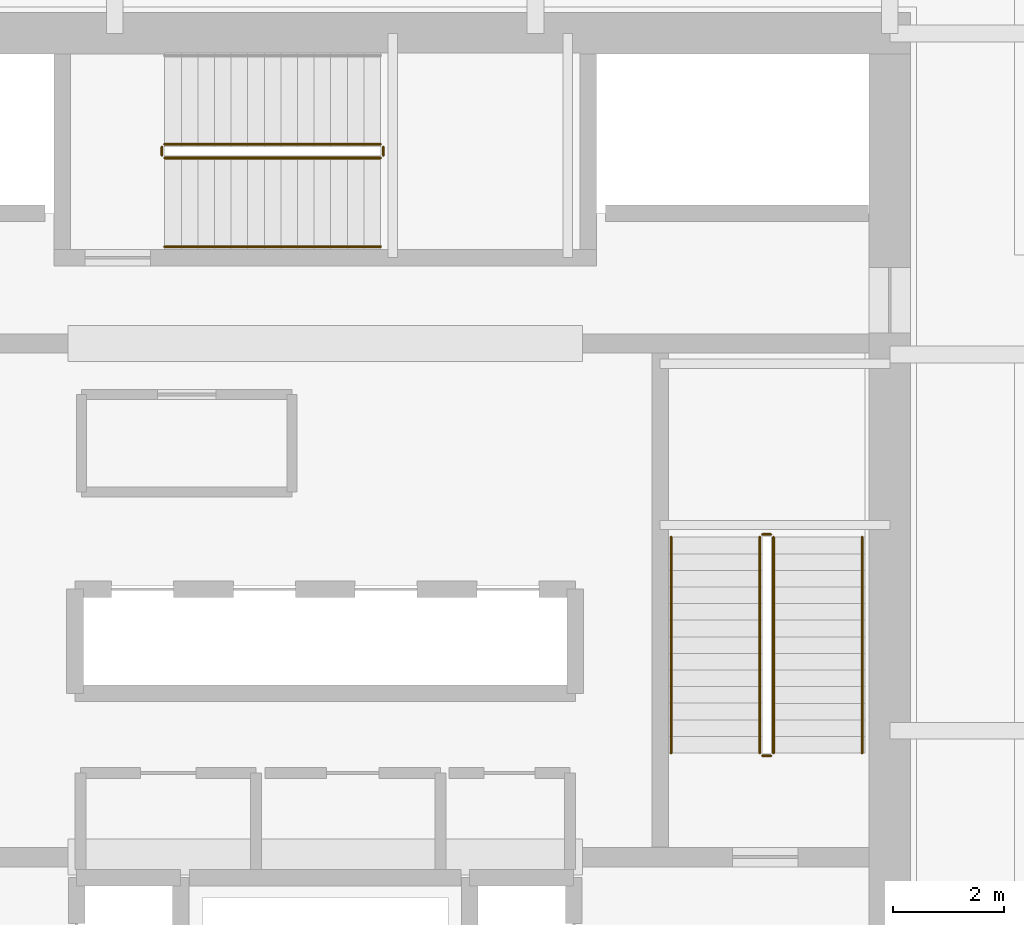
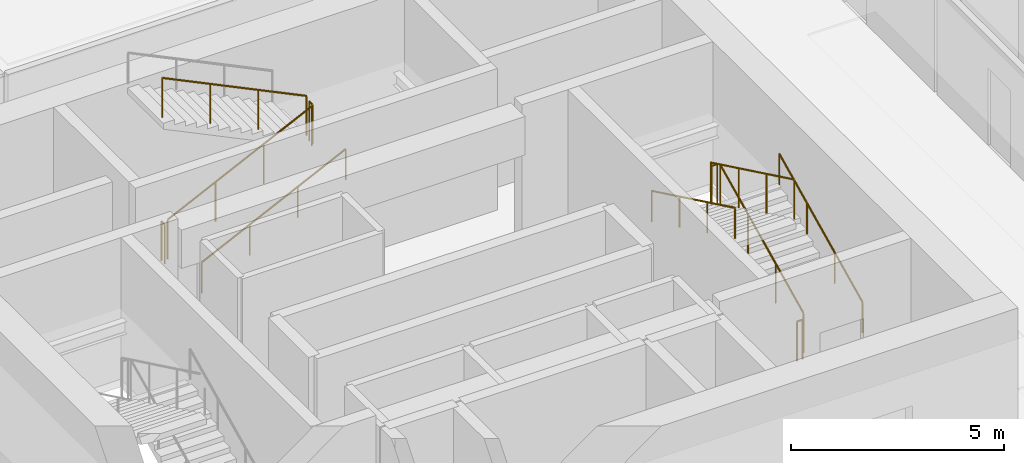
# One storey, part 33 of 34: 11 railings.
"""IFC4 building model written with IfcOpenShell, lengths in metres."""

from ifc_helpers import new_model, si_unit, direction, frame, origin, origin_2d, place, context, subcontext, project, spatial, circle, extrude, material, type_object, element, save


model = new_model("IFC4")

# Units and contexts
model_context = context("Model", 3, precision=1e-05, world=origin(), true_north=direction((0.0, 1.0)))
body_context = subcontext(model_context, "Body", "Model", "MODEL_VIEW")
ifc_project = project(units=[si_unit("LENGTHUNIT", "METRE"), si_unit("AREAUNIT", "SQUARE_METRE"), si_unit("VOLUMEUNIT", "CUBIC_METRE"), si_unit("PLANEANGLEUNIT", "RADIAN"), si_unit("MASSUNIT", "GRAM", prefix="KILO")], contexts=[model_context])

# Site, building, storey
site_placement = place(None, origin())
site = spatial("IfcSite", under=ifc_project, at=site_placement, CompositionType="ELEMENT")
building_placement = place(site_placement, origin())
building = spatial("IfcBuilding", under=site, at=building_placement, Name="Punatoya Terracotta Tower", CompositionType="ELEMENT")
storey_placement = place(building_placement, frame((0.0, 0.0, 84.89990234375)))
storey = spatial("IfcBuildingStorey", under=building, at=storey_placement, Name="L19", CompositionType="ELEMENT", Elevation=84.89990234375)

# Railings
ifc_material = material(Name="Steel S355", Category="steel")
railing_type_1 = type_object("IfcRailingType", Name="RLG-GRD-1150", PredefinedType="GUARDRAIL", material=ifc_material)
railing_1_placement = place(storey_placement, frame((8.10009765625, -3.800048828125, 0.144775390625)))
element("IfcRailing", 1, at=railing_1_placement, inside=storey, type_object=railing_type_1, Name="L19 ST-2 stair guard 1", PredefinedType="GUARDRAIL", context=body_context, shape_type="SweptSolid", body=[
    extrude(circle(Radius=0.02392578125, at=origin_2d()), frame((0.0, 0.0, 1.1259765625), z_axis=(0.0, 0.900773802044, 0.434288564841), x_axis=(-1.0, 0.0, 0.0)), (0.0, 0.0, 1.0), 4.329833984375),
    extrude(circle(Radius=0.02099609375, at=origin_2d()), origin(), (0.0, 0.0, 1.0), 1.101806640625),
    extrude(circle(Radius=0.02099609375, at=origin_2d()), frame((0.0, 1.300048828125, 0.626708984375)), (0.0, 0.0, 1.0), 1.101806640625),
    extrude(circle(Radius=0.02099609375, at=origin_2d()), frame((0.0, 2.60009765625, 1.253662109375)), (0.0, 0.0, 1.0), 1.101806640625),
    extrude(circle(Radius=0.02099609375, at=origin_2d()), frame((0.0, 3.900146484375, 1.88037109375)), (0.0, 0.0, 1.0), 1.101806640625),
])
railing_2_placement = place(storey_placement, frame((8.050048828125, 0.14990234375, 2.025146484375)))
element("IfcRailing", 2, at=railing_2_placement, inside=storey, type_object=railing_type_1, Name="L19 ST-2 stair guard 2", PredefinedType="GUARDRAIL", context=body_context, shape_type="SweptSolid", body=[
    extrude(circle(Radius=0.02392578125, at=origin_2d()), frame((0.0, 0.0, 1.1259765625), z_axis=(-1.0, 0.0, 0.0), x_axis=(0.0, -1.0, 0.0)), (0.0, 0.0, 1.0), 0.150146484375),
    extrude(circle(Radius=0.02099609375, at=origin_2d()), origin(), (0.0, 0.0, 1.0), 1.101806640625),
    extrude(circle(Radius=0.02099609375, at=origin_2d()), frame((-0.150146484375, 0.0, 0.0)), (0.0, 0.0, 1.0), 1.101806640625),
])
railing_3_placement = place(storey_placement, frame((7.85009765625, 0.10009765625, 2.169677734375)))
element("IfcRailing", 3, at=railing_3_placement, inside=storey, type_object=railing_type_1, Name="L19 ST-2 stair guard 3", PredefinedType="GUARDRAIL", context=body_context, shape_type="SweptSolid", body=[
    extrude(circle(Radius=0.02392578125, at=origin_2d()), frame((0.0, 0.0, 1.1259765625), z_axis=(0.0, -0.900773802044, 0.434288564841), x_axis=(1.0, 0.0, 0.0)), (0.0, 0.0, 1.0), 4.329833984375),
    extrude(circle(Radius=0.02099609375, at=origin_2d()), origin(), (0.0, 0.0, 1.0), 1.101806640625),
    extrude(circle(Radius=0.02099609375, at=origin_2d()), frame((0.0, -1.300048828125, 0.626708984375)), (0.0, 0.0, 1.0), 1.101806640625),
    extrude(circle(Radius=0.02099609375, at=origin_2d()), frame((0.0, -2.60009765625, 1.253662109375)), (0.0, 0.0, 1.0), 1.101806640625),
    extrude(circle(Radius=0.02099609375, at=origin_2d()), frame((0.0, -3.900146484375, 1.88037109375)), (0.0, 0.0, 1.0), 1.101806640625),
])
railing_4_placement = place(storey_placement, frame((8.050048828125, -3.85009765625, 0.0)))
element("IfcRailing", 4, at=railing_4_placement, inside=storey, type_object=railing_type_1, Name="L19 ST-2 stair guard 4", PredefinedType="GUARDRAIL", context=body_context, shape_type="SweptSolid", body=[
    extrude(circle(Radius=0.02392578125, at=origin_2d()), frame((0.0, 0.0, 1.1259765625), z_axis=(-1.0, 0.0, 0.0), x_axis=(0.0, -1.0, 0.0)), (0.0, 0.0, 1.0), 0.150146484375),
    extrude(circle(Radius=0.02099609375, at=origin_2d()), origin(), (0.0, 0.0, 1.0), 1.101806640625),
    extrude(circle(Radius=0.02099609375, at=origin_2d()), frame((-0.150146484375, 0.0, 0.0)), (0.0, 0.0, 1.0), 1.101806640625),
])
railing_5_placement = place(storey_placement, frame((-2.89990234375, 6.949951171875, 0.144775390625)))
element("IfcRailing", 5, at=railing_5_placement, inside=storey, type_object=railing_type_1, Name="L19 ST-3 stair guard 1", PredefinedType="GUARDRAIL", context=body_context, shape_type="SweptSolid", body=[
    extrude(circle(Radius=0.02392578125, at=origin_2d()), frame((0.0, 0.0, 1.1259765625), z_axis=(0.900763166376, 0.0, 0.434310623978), x_axis=(0.0, 1.0, 0.0)), (0.0, 0.0, 1.0), 4.32958984375),
    extrude(circle(Radius=0.02099609375, at=origin_2d()), origin(), (0.0, 0.0, 1.0), 1.101806640625),
    extrude(circle(Radius=0.02099609375, at=origin_2d()), frame((1.300048828125, 0.0, 0.626708984375)), (0.0, 0.0, 1.0), 1.101806640625),
    extrude(circle(Radius=0.02099609375, at=origin_2d()), frame((2.599853515625, 0.0, 1.253662109375)), (0.0, 0.0, 1.0), 1.101806640625),
    extrude(circle(Radius=0.02099609375, at=origin_2d()), frame((3.89990234375, 0.0, 1.88037109375)), (0.0, 0.0, 1.0), 1.101806640625),
])
railing_6_placement = place(storey_placement, frame((1.050048828125, 7.0, 2.025146484375)))
element("IfcRailing", 6, at=railing_6_placement, inside=storey, type_object=railing_type_1, Name="L19 ST-3 stair guard 2", PredefinedType="GUARDRAIL", context=body_context, shape_type="SweptSolid", body=[
    extrude(circle(Radius=0.02392578125, at=origin_2d()), frame((0.0, 0.0, 1.1259765625), z_axis=(0.0, 1.0, 0.0), x_axis=(-1.0, 0.0, 0.0)), (0.0, 0.0, 1.0), 0.14990234375),
    extrude(circle(Radius=0.02099609375, at=origin_2d()), origin(), (0.0, 0.0, 1.0), 1.101806640625),
    extrude(circle(Radius=0.02099609375, at=origin_2d()), frame((0.0, 0.14990234375, 0.0)), (0.0, 0.0, 1.0), 1.101806640625),
])
railing_7_placement = place(storey_placement, frame((1.0, 7.199951171875, 2.169677734375)))
element("IfcRailing", 7, at=railing_7_placement, inside=storey, type_object=railing_type_1, Name="L19 ST-3 stair guard 3", PredefinedType="GUARDRAIL", context=body_context, shape_type="SweptSolid", body=[
    extrude(circle(Radius=0.02392578125, at=origin_2d()), frame((0.0, 0.0, 1.1259765625), z_axis=(-0.900763166376, 0.0, 0.434310623978), x_axis=(0.0, -1.0, 0.0)), (0.0, 0.0, 1.0), 4.32958984375),
    extrude(circle(Radius=0.02099609375, at=origin_2d()), origin(), (0.0, 0.0, 1.0), 1.101806640625),
    extrude(circle(Radius=0.02099609375, at=origin_2d()), frame((-1.300048828125, 0.0, 0.626708984375)), (0.0, 0.0, 1.0), 1.101806640625),
    extrude(circle(Radius=0.02099609375, at=origin_2d()), frame((-2.599853515625, 0.0, 1.253662109375)), (0.0, 0.0, 1.0), 1.101806640625),
    extrude(circle(Radius=0.02099609375, at=origin_2d()), frame((-3.89990234375, 0.0, 1.88037109375)), (0.0, 0.0, 1.0), 1.101806640625),
])
railing_8_placement = place(storey_placement, frame((-2.949951171875, 7.0, 0.0)))
element("IfcRailing", 8, at=railing_8_placement, inside=storey, type_object=railing_type_1, Name="L19 ST-3 stair guard 4", PredefinedType="GUARDRAIL", context=body_context, shape_type="SweptSolid", body=[
    extrude(circle(Radius=0.02392578125, at=origin_2d()), frame((0.0, 0.0, 1.1259765625), z_axis=(0.0, 1.0, 0.0), x_axis=(-1.0, 0.0, 0.0)), (0.0, 0.0, 1.0), 0.14990234375),
    extrude(circle(Radius=0.02099609375, at=origin_2d()), origin(), (0.0, 0.0, 1.0), 1.101806640625),
    extrude(circle(Radius=0.02099609375, at=origin_2d()), frame((0.0, 0.14990234375, 0.0)), (0.0, 0.0, 1.0), 1.101806640625),
])
railing_type_2 = type_object("IfcRailingType", Name="RLG-HND-900", PredefinedType="HANDRAIL", material=ifc_material)
railing_9_placement = place(storey_placement, frame((9.699951171875, -3.800048828125, 0.144775390625)))
element("IfcRailing", 9, at=railing_9_placement, inside=storey, type_object=railing_type_2, Name="L19 ST-2 stair handrail 1", PredefinedType="HANDRAIL", context=body_context, shape_type="SweptSolid", body=[
    extrude(circle(Radius=0.02392578125, at=origin_2d()), frame((0.0, 0.0, 0.8759765625), z_axis=(0.0, 0.900773802044, 0.434288564841), x_axis=(-1.0, 0.0, 0.0)), (0.0, 0.0, 1.0), 4.329833984375),
    extrude(circle(Radius=0.02099609375, at=origin_2d()), origin(), (0.0, 0.0, 1.0), 0.851806640625),
    extrude(circle(Radius=0.02099609375, at=origin_2d()), frame((0.0, 1.300048828125, 0.626708984375)), (0.0, 0.0, 1.0), 0.851806640625),
    extrude(circle(Radius=0.02099609375, at=origin_2d()), frame((0.0, 2.60009765625, 1.253662109375)), (0.0, 0.0, 1.0), 0.851806640625),
    extrude(circle(Radius=0.02099609375, at=origin_2d()), frame((0.0, 3.900146484375, 1.88037109375)), (0.0, 0.0, 1.0), 0.851806640625),
])
railing_10_placement = place(storey_placement, frame((6.25, 0.10009765625, 2.169677734375)))
element("IfcRailing", 10, at=railing_10_placement, inside=storey, type_object=railing_type_2, Name="L19 ST-2 stair handrail 2", PredefinedType="HANDRAIL", context=body_context, shape_type="SweptSolid", body=[
    extrude(circle(Radius=0.02392578125, at=origin_2d()), frame((0.0, 0.0, 0.8759765625), z_axis=(0.0, -0.900773802044, 0.434288564841), x_axis=(1.0, 0.0, 0.0)), (0.0, 0.0, 1.0), 4.329833984375),
    extrude(circle(Radius=0.02099609375, at=origin_2d()), origin(), (0.0, 0.0, 1.0), 0.851806640625),
    extrude(circle(Radius=0.02099609375, at=origin_2d()), frame((0.0, -1.300048828125, 0.626708984375)), (0.0, 0.0, 1.0), 0.851806640625),
    extrude(circle(Radius=0.02099609375, at=origin_2d()), frame((0.0, -2.60009765625, 1.253662109375)), (0.0, 0.0, 1.0), 0.851806640625),
    extrude(circle(Radius=0.02099609375, at=origin_2d()), frame((0.0, -3.900146484375, 1.88037109375)), (0.0, 0.0, 1.0), 0.851806640625),
])
railing_11_placement = place(storey_placement, frame((-2.89990234375, 5.35009765625, 0.144775390625)))
element("IfcRailing", 11, at=railing_11_placement, inside=storey, type_object=railing_type_2, Name="L19 ST-3 stair handrail 1", PredefinedType="HANDRAIL", context=body_context, shape_type="SweptSolid", body=[
    extrude(circle(Radius=0.02392578125, at=origin_2d()), frame((0.0, 0.0, 0.8759765625), z_axis=(0.900763166376, 0.0, 0.434310623978), x_axis=(0.0, 1.0, 0.0)), (0.0, 0.0, 1.0), 4.32958984375),
    extrude(circle(Radius=0.02099609375, at=origin_2d()), origin(), (0.0, 0.0, 1.0), 0.851806640625),
    extrude(circle(Radius=0.02099609375, at=origin_2d()), frame((1.300048828125, 0.0, 0.626708984375)), (0.0, 0.0, 1.0), 0.851806640625),
    extrude(circle(Radius=0.02099609375, at=origin_2d()), frame((2.599853515625, 0.0, 1.253662109375)), (0.0, 0.0, 1.0), 0.851806640625),
    extrude(circle(Radius=0.02099609375, at=origin_2d()), frame((3.89990234375, 0.0, 1.88037109375)), (0.0, 0.0, 1.0), 0.851806640625),
])

save(model, "model.ifc")
